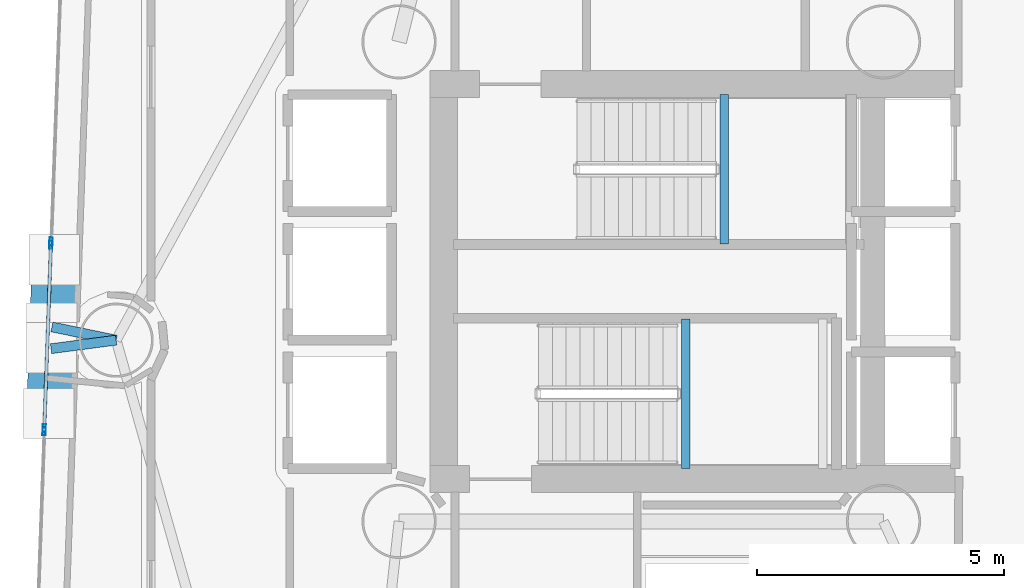
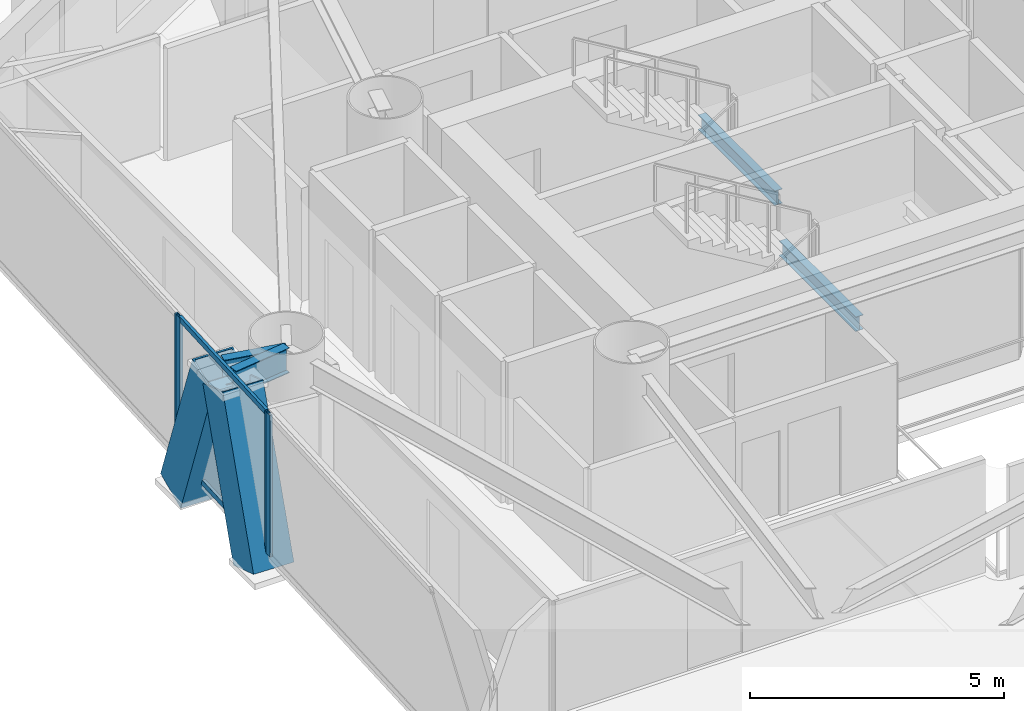
# One storey, part 7 of 22: 8 members, 4 beams, 3 elements without a shape of their own.
"""IFC4 building model written with IfcOpenShell, lengths in metres."""

from ifc_helpers import new_model, si_unit, direction, frame, origin, origin_2d, place, context, subcontext, project, spatial, hollow_rectangle, i_section, extrude, material, layer, layer_set, material_profile, profile_set, type_object, element, aggregate, save


model = new_model("IFC4")

# Units and contexts
model_context = context("Model", 3, precision=1e-05, world=origin(), true_north=direction((0.0, 1.0)))
body_context = subcontext(model_context, "Body", "Model", "MODEL_VIEW")
ifc_project = project(units=[si_unit("LENGTHUNIT", "METRE"), si_unit("AREAUNIT", "SQUARE_METRE"), si_unit("VOLUMEUNIT", "CUBIC_METRE"), si_unit("PLANEANGLEUNIT", "RADIAN"), si_unit("MASSUNIT", "GRAM", prefix="KILO")], contexts=[model_context])

# Site, building, storey
site_placement = place(None, origin())
site = spatial("IfcSite", under=ifc_project, at=site_placement, CompositionType="ELEMENT")
building_placement = place(site_placement, origin())
building = spatial("IfcBuilding", under=site, at=building_placement, Name="Qianvela Tower", CompositionType="ELEMENT")
storey_placement = place(building_placement, frame((0.0, 0.0, 134.800048828125)))
storey = spatial("IfcBuildingStorey", under=building, at=storey_placement, Name="L34", CompositionType="ELEMENT", Elevation=134.800048828125)

# Beams
ifc_material_1 = material(Name="Steel Q355B", Category="steel")
ifc_material_profile_1 = material_profile(ifc_material_1, i_section(OverallWidth=0.175048828125, OverallDepth=0.35009765625, WebThickness=0.007080078125, FlangeThickness=0.010986328125, at=origin_2d()), Name="HN350x175x7x11")
ifc_profile_set_1 = profile_set([ifc_material_profile_1], Name="Steel Q355B")
beam_type_1 = type_object("IfcBeamType", Name="BM-HN350-JOIST", PredefinedType="JOIST", material=ifc_profile_set_1)
for number, where, z_axis, x_axis, name in (
    (1, (35.179931640625, 29.4599609375, 1.474853515625), (0.0, 1.0, 0.0), (-1.0, 0.0, 0.0), "L34 Stair ST-1 Landing Support Beam 1.1"),
    (2, (34.39990234375, 24.919921875, 1.474853515625), (0.0, 1.0, 0.0), (-1.0, 0.0, 0.0), "L34 Stair ST-2 Landing Support Beam 1.1"),
):
    element("IfcBeam", number, at=place(storey_placement, frame(where, z_axis=z_axis, x_axis=x_axis)), inside=storey, type_object=beam_type_1, Name=name, PredefinedType="JOIST", context=body_context, shape_type="SweptSolid", body=[
        extrude(i_section(OverallWidth=0.175048828125, OverallDepth=0.35009765625, WebThickness=0.007080078125, FlangeThickness=0.010986328125, at=origin_2d()), origin(), (0.0, 0.0, 1.0), 3.02001953125),
    ])
ifc_material_2 = material(Name="Steel Q355B", Category="steel")
ifc_material_profile_2 = material_profile(ifc_material_2, i_section(OverallWidth=0.199951171875, OverallDepth=0.60009765625, WebThickness=0.010986328125, FlangeThickness=0.01708984375, at=origin_2d()), Name="HN600x200x11x17")
ifc_profile_set_2 = profile_set([ifc_material_profile_2], Name="Steel Q355B")
beam_type_2 = type_object("IfcBeamType", Name="BM-HN600-GIRD", PredefinedType="BEAM", material=ifc_profile_set_2)
beam_1_placement = place(storey_placement, frame((22.8779296875, 27.51611328125, 3.097900390625), z_axis=(-0.97949016727, 0.201491965651, 0.0), x_axis=(-0.201491965651, -0.97949016727, 0.0)))
element("IfcBeam", 3, at=beam_1_placement, inside=storey, type_object=beam_type_2, Name="L34 Mega-Brace Column Tie Bracket F2-1", PredefinedType="BEAM", context=body_context, shape_type="SweptSolid", body=[
    extrude(i_section(OverallWidth=0.199951171875, OverallDepth=0.60009765625, WebThickness=0.010986328125, FlangeThickness=0.01708984375, at=origin_2d()), origin(), (0.0, 0.0, 1.0), 1.32666015625),
])
beam_2_placement = place(storey_placement, frame((22.8779296875, 27.51611328125, 3.097900390625), z_axis=(-0.991503696476, -0.130078514271, 0.0), x_axis=(0.130078514271, -0.991503696476, 0.0)))
element("IfcBeam", 4, at=beam_2_placement, inside=storey, type_object=beam_type_2, Name="L34 Mega-Brace Column Tie Bracket F2-2", PredefinedType="BEAM", context=body_context, shape_type="SweptSolid", body=[
    extrude(i_section(OverallWidth=0.199951171875, OverallDepth=0.60009765625, WebThickness=0.010986328125, FlangeThickness=0.01708984375, at=origin_2d()), origin(), (0.0, 0.0, 1.0), 1.326904296875),
])

# Curtain wall, members
ifc_material_3 = material(Name="Anodised Architectural Aluminium and Insulated Spandrel Panel", Category="aluminium")
ifc_layer_1 = layer(ifc_material_3, 0.179931640625)
ifc_layer_set_1 = layer_set([ifc_layer_1], Name="Anodised Architectural Aluminium and Insulated Spandrel Panel")
curtain_wall_type_1 = type_object("IfcCurtainWallType", Name="CW-BRACEBAY", PredefinedType="USERDEFINED", material=ifc_layer_set_1)
curtain_wall_1_placement = place(storey_placement, origin())
curtain_wall_1 = element("IfcCurtainWall", 5, at=curtain_wall_1_placement, inside=storey, type_object=curtain_wall_type_1, Name="L34 CW-BRACEBAY Curtain Wall 04B", ObjectType="CURTAIN_WALL_SYSTEM", PredefinedType="USERDEFINED")
ifc_material_4 = material(Name="Anodised Architectural Aluminium 6063-T6", Category="aluminium")
ifc_material_profile_3 = material_profile(ifc_material_4, hollow_rectangle(XDim=0.06494140625, YDim=0.159912109375, WallThickness=0.0048828125, at=origin_2d()), Name="ALU-MULL-65x160")
ifc_profile_set_3 = profile_set([ifc_material_profile_3], Name="Anodised Architectural Aluminium 6063-T6")
member_type_1 = type_object("IfcMemberType", Name="CW-BRACEBAY-MULL", PredefinedType="MULLION", material=ifc_profile_set_3)
member_1_placement = place(storey_placement, frame((21.55859375, 29.44775390625, 0.0), z_axis=(0.0, 0.0, 1.0), x_axis=(0.99934106912, -0.036296385089, 0.0)))
member_1 = element("IfcMember", 6, at=member_1_placement, type_object=member_type_1, Name="CW-9 mullion 1", PredefinedType="MULLION", context=body_context, shape_type="SweptSolid", body=[
    extrude(hollow_rectangle(XDim=0.06494140625, YDim=0.159912109375, WallThickness=0.0048828125, at=origin_2d()), origin(), (0.0, 0.0, 1.0), 3.39990234375),
])
member_2_placement = place(storey_placement, frame((21.423828125, 25.7353515625, 0.0), z_axis=(0.0, 0.0, 1.0), x_axis=(0.99934106912, -0.036296385089, 0.0)))
member_2 = element("IfcMember", 7, at=member_2_placement, type_object=member_type_1, Name="CW-9 mullion 2", PredefinedType="MULLION", context=body_context, shape_type="SweptSolid", body=[
    extrude(hollow_rectangle(XDim=0.06494140625, YDim=0.159912109375, WallThickness=0.0048828125, at=origin_2d()), origin(), (0.0, 0.0, 1.0), 3.39990234375),
])
ifc_material_5 = material(Name="Anodised Architectural Aluminium 6063-T6", Category="aluminium")
ifc_material_profile_4 = material_profile(ifc_material_5, hollow_rectangle(XDim=0.06494140625, YDim=0.1298828125, WallThickness=0.00439453125, at=origin_2d()), Name="ALU-TRAN-65x130")
ifc_profile_set_4 = profile_set([ifc_material_profile_4], Name="Anodised Architectural Aluminium 6063-T6")
member_type_2 = type_object("IfcMemberType", Name="CW-BRACEBAY-TRAN", PredefinedType="USERDEFINED", material=ifc_profile_set_4)
member_3_placement = place(storey_placement, frame((21.557373046875, 29.415283203125, 0.032470703125), z_axis=(-0.036254597163, -0.999342585996, 0.0), x_axis=(0.999342585996, -0.036254597163, 0.0)))
member_3 = element("IfcMember", 8, at=member_3_placement, type_object=member_type_2, Name="CW-9 transom 1.1", ObjectType="TRANSOM", PredefinedType="USERDEFINED", context=body_context, shape_type="SweptSolid", body=[
    extrude(hollow_rectangle(XDim=0.06494140625, YDim=0.1298828125, WallThickness=0.00439453125, at=origin_2d()), origin(), (0.0, 0.0, 1.0), 3.64990234375),
])
member_4_placement = place(storey_placement, frame((21.557373046875, 29.415283203125, 3.367431640625), z_axis=(-0.036254597163, -0.999342585996, 0.0), x_axis=(0.999342585996, -0.036254597163, 0.0)))
member_4 = element("IfcMember", 9, at=member_4_placement, type_object=member_type_2, Name="CW-9 transom 1.2", ObjectType="TRANSOM", PredefinedType="USERDEFINED", context=body_context, shape_type="SweptSolid", body=[
    extrude(hollow_rectangle(XDim=0.06494140625, YDim=0.1298828125, WallThickness=0.00439453125, at=origin_2d()), origin(), (0.0, 0.0, 1.0), 3.64990234375),
])
aggregate(curtain_wall_1, [member_1, member_2, member_3, member_4])

# Curtain wall, member
ifc_material_6 = material(Name="Anodised Architectural Aluminium and Low-E Glass", Category="aluminium")
ifc_layer_2 = layer(ifc_material_6, 0.169921875)
ifc_layer_set_2 = layer_set([ifc_layer_2], Name="Anodised Architectural Aluminium and Low-E Glass")
curtain_wall_type_2 = type_object("IfcCurtainWallType", Name="CW-COLIV-Z34", PredefinedType="USERDEFINED", material=ifc_layer_set_2)
curtain_wall_2_placement = place(storey_placement, origin())
curtain_wall_2 = element("IfcCurtainWall", 10, at=curtain_wall_2_placement, inside=storey, type_object=curtain_wall_type_2, Name="L34 CW-COLIV-Z34 Curtain Wall 04A", ObjectType="CURTAIN_WALL_SYSTEM", PredefinedType="USERDEFINED")
ifc_material_7 = material(Name="Anodised Architectural Aluminium 6063-T6", Category="aluminium")
ifc_material_profile_5 = material_profile(ifc_material_7, hollow_rectangle(XDim=0.06494140625, YDim=0.159912109375, WallThickness=0.0048828125, at=origin_2d()), Name="ALU-MULL-65x160")
ifc_profile_set_5 = profile_set([ifc_material_profile_5], Name="Anodised Architectural Aluminium 6063-T6")
member_type_3 = type_object("IfcMemberType", Name="CW-COLIV-Z34-MULL", PredefinedType="MULLION", material=ifc_profile_set_5)
member_5_placement = place(storey_placement, frame((21.56103515625, 29.5126953125, 0.0), z_axis=(0.0, 0.0, 1.0), x_axis=(0.99934088879, -0.03630134972, 0.0)))
member_5 = element("IfcMember", 11, at=member_5_placement, type_object=member_type_3, Name="CW-4 mullion 2", PredefinedType="MULLION", context=body_context, shape_type="SweptSolid", body=[
    extrude(hollow_rectangle(XDim=0.06494140625, YDim=0.159912109375, WallThickness=0.0048828125, at=origin_2d()), origin(), (0.0, 0.0, 1.0), 3.39990234375),
])
aggregate(curtain_wall_2, [member_5])

curtain_wall_3_placement = place(storey_placement, origin())
curtain_wall_3 = element("IfcCurtainWall", 12, at=curtain_wall_3_placement, inside=storey, type_object=curtain_wall_type_2, Name="L34 CW-COLIV-Z34 Curtain Wall 04C", ObjectType="CURTAIN_WALL_SYSTEM", PredefinedType="USERDEFINED")
member_6_placement = place(storey_placement, frame((21.42138671875, 25.67041015625, 0.0), z_axis=(0.0, 0.0, 1.0), x_axis=(0.999341176922, -0.036293416862, 0.0)))
member_6 = element("IfcMember", 13, at=member_6_placement, type_object=member_type_3, Name="CW-4 mullion 1", PredefinedType="MULLION", context=body_context, shape_type="SweptSolid", body=[
    extrude(hollow_rectangle(XDim=0.06494140625, YDim=0.159912109375, WallThickness=0.0048828125, at=origin_2d()), origin(), (0.0, 0.0, 1.0), 3.39990234375),
])
aggregate(curtain_wall_3, [member_6])

# Members
ifc_material_8 = material(Name="Steel Q420GJC", Category="steel")
ifc_material_profile_6 = material_profile(ifc_material_8, hollow_rectangle(XDim=0.89990234375, YDim=0.89990234375, WallThickness=0.035888671875, at=origin_2d()), Name="MBOX-900x900x36")
ifc_profile_set_6 = profile_set([ifc_material_profile_6], Name="Steel Q420GJC")
member_type_4 = type_object("IfcMemberType", Name="MBR-MBRACE-900", PredefinedType="BRACE", material=ifc_profile_set_6)
member_7_placement = place(storey_placement, frame((21.626708984375, 29.117431640625, -0.48193359375), z_axis=(-0.012652388242, -0.349154794708, 0.936979640336), x_axis=(0.999344078985, -0.036213420139, 0.0)))
element("IfcMember", 14, at=member_7_placement, inside=storey, type_object=member_type_4, Name="L34 Tier 5 Exterior Mega-Brace F2A", PredefinedType="BRACE", context=body_context, shape_type="SweptSolid", body=[
    extrude(hollow_rectangle(XDim=0.89990234375, YDim=0.89990234375, WallThickness=0.035888671875, at=origin_2d()), origin(), (0.0, 0.0, 1.0), 3.820556640625),
])
member_8_placement = place(storey_placement, frame((21.515380859375, 26.0546875, -0.48193359375), z_axis=(0.012319131033, 0.338711941277, 0.940809470534), x_axis=(-0.999339247933, 0.036346492821, 0.0)))
element("IfcMember", 15, at=member_8_placement, inside=storey, type_object=member_type_4, Name="L34 Tier 5 Exterior Mega-Brace F2B", PredefinedType="BRACE", context=body_context, shape_type="SweptSolid", body=[
    extrude(hollow_rectangle(XDim=0.89990234375, YDim=0.89990234375, WallThickness=0.035888671875, at=origin_2d()), origin(), (0.0, 0.0, 1.0), 3.80517578125),
])

save(model, "model.ifc")
